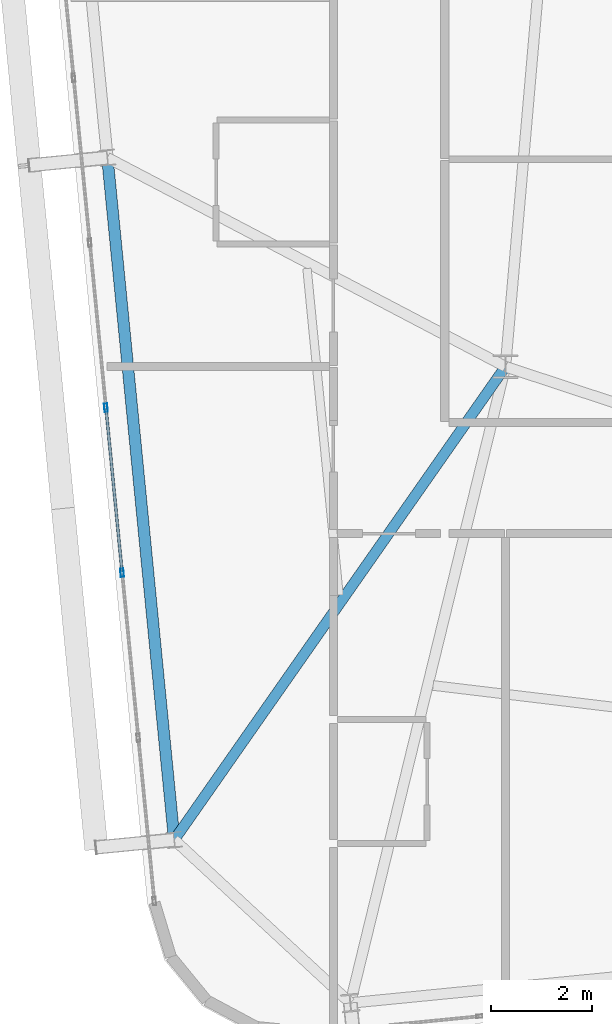
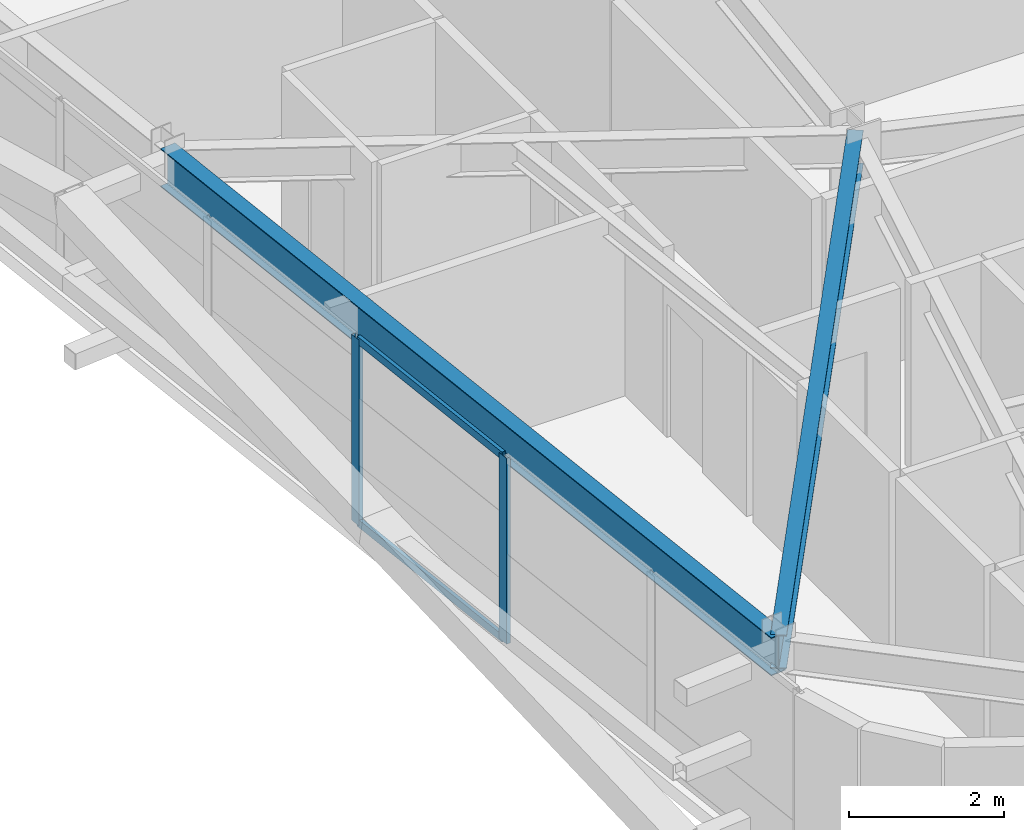
# One storey, part 8 of 54: 4 members, 2 beams, 1 element without a shape of its own.
"""IFC4 building model written with IfcOpenShell, lengths in metres."""

from ifc_helpers import new_model, si_unit, direction, frame, origin, origin_2d, place, context, subcontext, project, spatial, hollow_rectangle, i_section, extrude, source, transform, mapped, material, layer, layer_set, material_profile, profile_set, type_object, element, aggregate, save


model = new_model("IFC4")

# Units and contexts
model_context = context("Model", 3, precision=1e-05, world=origin(), true_north=direction((0.0, 1.0)))
body_context = subcontext(model_context, "Body", "Model", "MODEL_VIEW")
ifc_project = project(units=[si_unit("LENGTHUNIT", "METRE"), si_unit("AREAUNIT", "SQUARE_METRE"), si_unit("VOLUMEUNIT", "CUBIC_METRE"), si_unit("PLANEANGLEUNIT", "RADIAN"), si_unit("MASSUNIT", "GRAM", prefix="KILO")], contexts=[model_context])

# Site, building, storey
site_placement = place(None, origin())
site = spatial("IfcSite", under=ifc_project, at=site_placement, CompositionType="ELEMENT")
building_placement = place(site_placement, origin())
building = spatial("IfcBuilding", under=site, at=building_placement, Name="Taldren Reach Tower", CompositionType="ELEMENT")
storey_placement = place(building_placement, frame((0.0, 0.0, 99.75)))
storey = spatial("IfcBuildingStorey", under=building, at=storey_placement, Name="L30", CompositionType="ELEMENT", Elevation=99.75)

# Beams
ifc_material_1 = material(Name="Steel Gr 350 (350PLUS)", Category="steel")
ifc_material_profile_1 = material_profile(ifc_material_1, i_section(OverallWidth=0.22802734375, OverallDepth=0.60205078125, WebThickness=0.010498046875, FlangeThickness=0.014892578125, at=origin_2d()), Name="610UB101")
ifc_profile_set_1 = profile_set([ifc_material_profile_1], Name="Steel Gr 350 (350PLUS)")
beam_type_1 = type_object("IfcBeamType", Name="BM-UB610B", PredefinedType="BEAM", material=ifc_profile_set_1)
shared_shape_1 = source(origin(), body_context, "Body", "SweptSolid", [
    extrude(i_section(OverallWidth=0.22802734375, OverallDepth=0.60205078125, WebThickness=0.010498046875, FlangeThickness=0.014892578125, at=origin_2d()), origin(), (0.0, 0.0, 1.0), 13.550048828125),
])
beam_1_placement = place(storey_placement, frame((10.130615234375, 16.631103515625, 2.62890625), z_axis=(0.097584021339, -0.995227290009, 0.0), x_axis=(0.995227290009, 0.097584021339, 0.0)))
element("IfcBeam", 1, at=beam_1_placement, inside=storey, type_object=beam_type_1, Name="Perimeter gable girder B2 W2-W1 L30", PredefinedType="BEAM", context=body_context, shape_type="MappedRepresentation", body=[
    mapped(shared_shape_1, transform((0.0, 0.0, 0.0), scale=1.0)),
])
ifc_material_profile_2 = material_profile(ifc_material_1, i_section(OverallWidth=0.208984375, OverallDepth=0.532958984375, WebThickness=0.01025390625, FlangeThickness=0.015625, at=origin_2d()), Name="530UB92.4")
ifc_profile_set_2 = profile_set([ifc_material_profile_2], Name="Steel Gr 350 (350PLUS)")
beam_type_2 = type_object("IfcBeamType", Name="BM-UB530A", PredefinedType="BEAM", material=ifc_profile_set_2)
shared_shape_2 = source(origin(), body_context, "Body", "SweptSolid", [
    extrude(i_section(OverallWidth=0.208984375, OverallDepth=0.532958984375, WebThickness=0.01025390625, FlangeThickness=0.015625, at=origin_2d()), origin(), (0.0, 0.0, 1.0), 11.417724609375),
])
beam_2_placement = place(storey_placement, frame((18.0, 12.5, 2.66357421875), z_axis=(-0.573412116146, -0.819267077977, 0.0), x_axis=(0.819267077977, -0.573412116146, 0.0)))
element("IfcBeam", 2, at=beam_2_placement, inside=storey, type_object=beam_type_2, Name="Primary floor girder B2-W1 L30", PredefinedType="BEAM", context=body_context, shape_type="MappedRepresentation", body=[
    mapped(shared_shape_2, transform((0.0, 0.0, 0.0), scale=1.0)),
])

# Curtain wall, members
ifc_material_2 = material(Name="Aluminium and Low-E Glass Unitised System", Category="aluminium")
ifc_layer = layer(ifc_material_2, 0.159912109375)
ifc_layer_set = layer_set([ifc_layer], Name="Aluminium and Low-E Glass Unitised System")
curtain_wall_type = type_object("IfcCurtainWallType", Name="CW-SYS-3", PredefinedType="NOTDEFINED", material=ifc_layer_set)
curtain_wall_placement = place(storey_placement, origin())
curtain_wall = element("IfcCurtainWall", 3, at=curtain_wall_placement, inside=storey, type_object=curtain_wall_type, Name="Unitised curtain wall CW-L30-W", PredefinedType="NOTDEFINED")
ifc_material_3 = material(Name="Anodised Aluminium 6063-T6", Category="aluminium")
ifc_material_profile_3 = material_profile(ifc_material_3, hollow_rectangle(XDim=0.06494140625, YDim=0.1650390625, WallThickness=0.00390625, at=origin_2d()), Name="ALU-165x65x4RHS")
ifc_profile_set_3 = profile_set([ifc_material_profile_3], Name="Anodised Aluminium 6063-T6")
member_type_1 = type_object("IfcMemberType", Name="CW-MUL-165", PredefinedType="MULLION", material=ifc_profile_set_3)
shared_shape_3 = source(origin(), body_context, "Body", "SweptSolid", [
    extrude(hollow_rectangle(XDim=0.06494140625, YDim=0.1650390625, WallThickness=0.00390625, at=origin_2d()), origin(), (0.0, 0.0, 1.0), 2.929931640625),
])
member_1_placement = place(storey_placement, frame((10.102783203125, 11.688232421875, 0.0), z_axis=(0.0, 0.0, 1.0), x_axis=(0.99522741555, 0.09758274098, 0.0)))
member_1 = element("IfcMember", 4, at=member_1_placement, type_object=member_type_1, Name="CW-3 mullion 7", PredefinedType="MULLION", context=body_context, shape_type="MappedRepresentation", body=[
    mapped(shared_shape_3, transform((0.0, 0.0, 0.0), scale=1.0)),
])
member_2_placement = place(storey_placement, frame((10.422607421875, 8.426025390625, 0.0), z_axis=(0.0, 0.0, 1.0), x_axis=(0.99522741555, 0.09758274098, 0.0)))
member_2 = element("IfcMember", 5, at=member_2_placement, type_object=member_type_1, Name="CW-3 mullion 8", PredefinedType="MULLION", context=body_context, shape_type="MappedRepresentation", body=[
    mapped(shared_shape_3, transform((0.0, 0.0, 0.0), scale=1.0)),
])
ifc_material_profile_4 = material_profile(ifc_material_3, hollow_rectangle(XDim=0.054931640625, YDim=0.1201171875, WallThickness=0.0029296875, at=origin_2d()), Name="ALU-120x55x3RHS")
ifc_profile_set_4 = profile_set([ifc_material_profile_4], Name="Anodised Aluminium 6063-T6")
member_type_2 = type_object("IfcMemberType", Name="CW-TRN-135", PredefinedType="USERDEFINED", material=ifc_profile_set_4)
shared_shape_4 = source(origin(), body_context, "Body", "SweptSolid", [
    extrude(hollow_rectangle(XDim=0.054931640625, YDim=0.1201171875, WallThickness=0.0029296875, at=origin_2d()), origin(), (0.0, 0.0, 1.0), 3.212890625),
])
member_3_placement = place(storey_placement, frame((10.10595703125, 11.65576171875, 0.027587890625), z_axis=(0.097569948235, -0.995228669805, 0.0), x_axis=(0.995228669805, 0.097569948235, 0.0)))
member_3 = element("IfcMember", 6, at=member_3_placement, type_object=member_type_2, Name="CW-3 transom 7.1", ObjectType="TRANSOM", PredefinedType="USERDEFINED", context=body_context, shape_type="MappedRepresentation", body=[
    mapped(shared_shape_4, transform((0.0, 0.0, 0.0), scale=1.0)),
])
member_4_placement = place(storey_placement, frame((10.10595703125, 11.65576171875, 2.902587890625), z_axis=(0.097569948235, -0.995228669805, 0.0), x_axis=(0.995228669805, 0.097569948235, 0.0)))
member_4 = element("IfcMember", 7, at=member_4_placement, type_object=member_type_2, Name="CW-3 transom 7.2", ObjectType="TRANSOM", PredefinedType="USERDEFINED", context=body_context, shape_type="MappedRepresentation", body=[
    mapped(shared_shape_4, transform((0.0, 0.0, 0.0), scale=1.0)),
])
aggregate(curtain_wall, [member_1, member_2, member_3, member_4])

save(model, "model.ifc")
